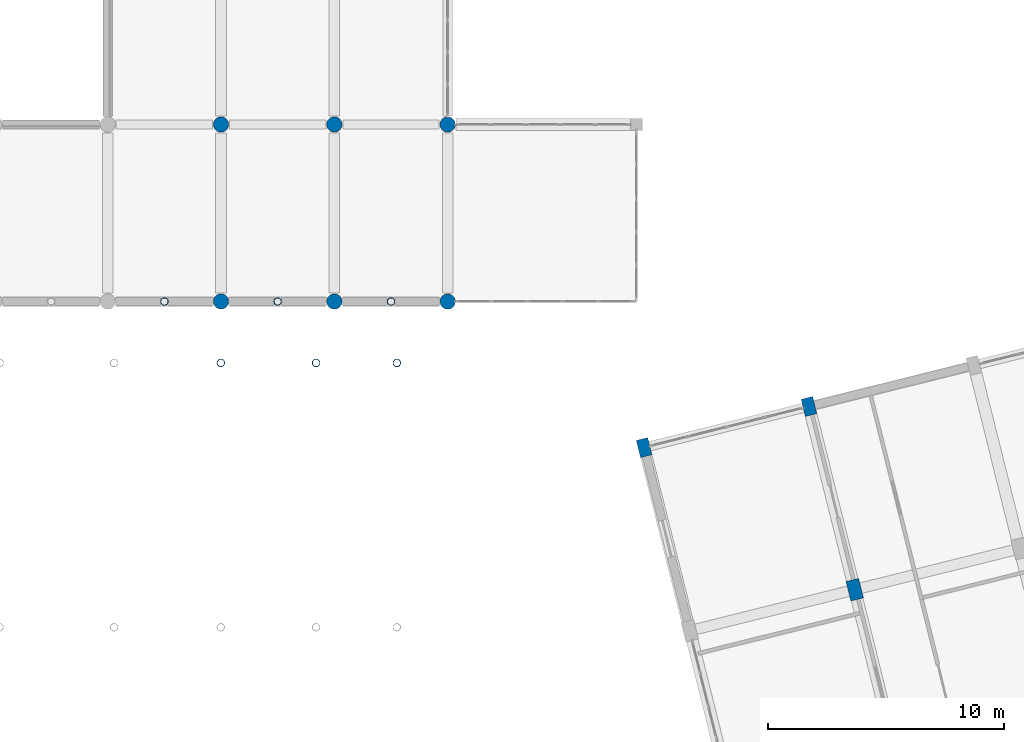
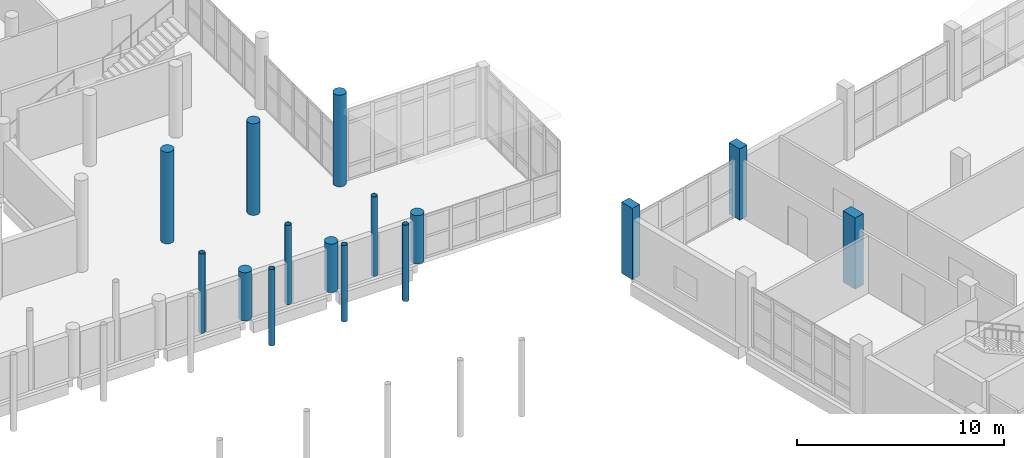
# One storey, part 10 of 164: 15 columns.
"""IFC4 building model written with IfcOpenShell, lengths in metres."""

from ifc_helpers import new_model, si_unit, direction, frame, origin, origin_2d, place, context, subcontext, project, spatial, rectangle, circle, hollow_circle, extrude, material, material_profile, profile_set, type_object, element, save


model = new_model("IFC4")

# Units and contexts
model_context = context("Model", 3, precision=1e-05, world=origin(), true_north=direction((0.0, 1.0)))
body_context = subcontext(model_context, "Body", "Model", "MODEL_VIEW")
ifc_project = project(units=[si_unit("LENGTHUNIT", "METRE"), si_unit("AREAUNIT", "SQUARE_METRE"), si_unit("VOLUMEUNIT", "CUBIC_METRE"), si_unit("PLANEANGLEUNIT", "RADIAN"), si_unit("MASSUNIT", "GRAM", prefix="KILO")], contexts=[model_context])

# Site, building, storey
site_placement = place(None, origin())
site = spatial("IfcSite", under=ifc_project, at=site_placement, CompositionType="ELEMENT")
building_placement = place(site_placement, origin())
building = spatial("IfcBuilding", under=site, at=building_placement, Name="Mawjan Specialist Oncology Clinic", CompositionType="ELEMENT")
storey_placement = place(building_placement, frame((0.0, 0.0, 5.0)))
storey = spatial("IfcBuildingStorey", under=building, at=storey_placement, Name="L01", CompositionType="ELEMENT", Elevation=5.0)

# Columns
ifc_material_1 = material(Name="Concrete C45/55", Category="concrete")
ifc_material_profile_1 = material_profile(ifc_material_1, rectangle(XDim=0.5, YDim=0.75, at=origin_2d()), Name="RC COL 500x750", Category="concrete")
ifc_profile_set_1 = profile_set([ifc_material_profile_1], Name="Concrete C45/55")
column_type_1 = type_object("IfcColumnType", Name="C-500x750", PredefinedType="COLUMN", material=ifc_profile_set_1)
for number, where, z_axis, x_axis, name in (
    (1, (116.3232421875, 39.61181640625, 0.0), (0.0, 0.0, 1.0), (0.970295726276, 0.2419218956, 0.0), "L01 Column R-RA-R6"),
    (2, (123.309326171875, 41.353759765625, 0.0), (0.0, 0.0, 1.0), (0.970295726276, 0.2419218956, 0.0), "L01 Column R-RB-R6"),
):
    element("IfcColumn", number, at=place(storey_placement, frame(where, z_axis=z_axis, x_axis=x_axis)), inside=storey, type_object=column_type_1, Name=name, PredefinedType="COLUMN", context=body_context, shape_type="SweptSolid", body=[
        extrude(rectangle(XDim=0.5, YDim=0.75, at=origin_2d()), origin(), (0.0, 0.0, 1.0), 4.199951171875),
    ])
ifc_material_2 = material(Name="Concrete C45/55", Category="concrete")
ifc_material_profile_2 = material_profile(ifc_material_2, rectangle(XDim=0.550048828125, YDim=0.85009765625, at=origin_2d()), Name="RC COL 550x850", Category="concrete")
ifc_profile_set_2 = profile_set([ifc_material_profile_2], Name="Concrete C45/55")
column_type_2 = type_object("IfcColumnType", Name="C-550x850", PredefinedType="COLUMN", material=ifc_profile_set_2)
column_1_placement = place(storey_placement, frame((125.24462890625, 33.59130859375, 0.0), z_axis=(0.0, 0.0, 1.0), x_axis=(0.970295726276, 0.2419218956, 0.0)))
element("IfcColumn", 3, at=column_1_placement, inside=storey, type_object=column_type_2, Name="L01 Column R-RB-R5", PredefinedType="COLUMN", context=body_context, shape_type="SweptSolid", body=[
    extrude(rectangle(XDim=0.550048828125, YDim=0.85009765625, at=origin_2d()), origin(), (0.0, 0.0, 1.0), 4.199951171875),
])
ifc_material_3 = material(Name="Concrete C45/55", Category="concrete")
ifc_material_profile_3 = material_profile(ifc_material_3, circle(Radius=0.324951171875, at=origin_2d()), Name="RC COL D650", Category="concrete")
ifc_profile_set_3 = profile_set([ifc_material_profile_3], Name="Concrete C45/55")
column_type_3 = type_object("IfcColumnType", Name="C-D650", PredefinedType="COLUMN", material=ifc_profile_set_3)
column_2_placement = place(storey_placement, frame((98.39990234375, 45.800048828125, 0.0), z_axis=(0.0, 0.0, 1.0), x_axis=(1.0, 0.0, 0.0)))
element("IfcColumn", 4, at=column_2_placement, inside=storey, type_object=column_type_3, Name="L01 Column G-17-G", PredefinedType="COLUMN", context=body_context, shape_type="SweptSolid", body=[
    extrude(circle(Radius=0.324951171875, at=origin_2d()), origin(), (0.0, 0.0, 1.0), 2.85009765625),
])
column_3_placement = place(storey_placement, frame((98.39990234375, 53.300048828125, 0.0), z_axis=(0.0, 0.0, 1.0), x_axis=(1.0, 0.0, 0.0)))
element("IfcColumn", 5, at=column_3_placement, inside=storey, type_object=column_type_3, Name="L01 Column G-17-H", PredefinedType="COLUMN", context=body_context, shape_type="SweptSolid", body=[
    extrude(circle(Radius=0.324951171875, at=origin_2d()), origin(), (0.0, 0.0, 1.0), 5.39990234375),
])
column_4_placement = place(storey_placement, frame((103.199951171875, 45.800048828125, 0.0), z_axis=(0.0, 0.0, 1.0), x_axis=(1.0, 0.0, 0.0)))
element("IfcColumn", 6, at=column_4_placement, inside=storey, type_object=column_type_3, Name="L01 Column G-18-G", PredefinedType="COLUMN", context=body_context, shape_type="SweptSolid", body=[
    extrude(circle(Radius=0.324951171875, at=origin_2d()), origin(), (0.0, 0.0, 1.0), 2.85009765625),
])
column_5_placement = place(storey_placement, frame((103.199951171875, 53.300048828125, 0.0), z_axis=(0.0, 0.0, 1.0), x_axis=(1.0, 0.0, 0.0)))
element("IfcColumn", 7, at=column_5_placement, inside=storey, type_object=column_type_3, Name="L01 Column G-18-H", PredefinedType="COLUMN", context=body_context, shape_type="SweptSolid", body=[
    extrude(circle(Radius=0.324951171875, at=origin_2d()), origin(), (0.0, 0.0, 1.0), 5.39990234375),
])
column_6_placement = place(storey_placement, frame((108.0, 45.800048828125, 0.0), z_axis=(0.0, 0.0, 1.0), x_axis=(1.0, 0.0, 0.0)))
element("IfcColumn", 8, at=column_6_placement, inside=storey, type_object=column_type_3, Name="L01 Column G-19-G", PredefinedType="COLUMN", context=body_context, shape_type="SweptSolid", body=[
    extrude(circle(Radius=0.324951171875, at=origin_2d()), origin(), (0.0, 0.0, 1.0), 2.85009765625),
])
column_7_placement = place(storey_placement, frame((108.0, 53.300048828125, 0.0), z_axis=(0.0, 0.0, 1.0), x_axis=(1.0, 0.0, 0.0)))
element("IfcColumn", 9, at=column_7_placement, inside=storey, type_object=column_type_3, Name="L01 Column G-19-H", PredefinedType="COLUMN", context=body_context, shape_type="SweptSolid", body=[
    extrude(circle(Radius=0.324951171875, at=origin_2d()), origin(), (0.0, 0.0, 1.0), 5.39990234375),
])
ifc_material_4 = material(Name="Structural steel S355", Category="steel")
ifc_material_profile_4 = material_profile(ifc_material_4, hollow_circle(Radius=0.161865234375, WallThickness=0.011962890625, at=origin_2d()), Name="CHS 323.9x12", Category="steel")
ifc_profile_set_4 = profile_set([ifc_material_profile_4], Name="Structural steel S355")
column_type_4 = type_object("IfcColumnType", Name="SC-CHS324", PredefinedType="COLUMN", material=ifc_profile_set_4)
for number, where, z_axis, x_axis, name in (
    (10, (96.0, 45.800048828125, 0.0), (0.0, 0.0, 1.0), (1.0, 0.0, 0.0), "Hall South Ridge L01 Column 08"),
    (11, (100.800048828125, 45.800048828125, 0.0), (0.0, 0.0, 1.0), (1.0, 0.0, 0.0), "Hall South Ridge L01 Column 09"),
    (12, (105.60009765625, 45.800048828125, 0.0), (0.0, 0.0, 1.0), (1.0, 0.0, 0.0), "Hall South Ridge L01 Column 10"),
):
    element("IfcColumn", number, at=place(storey_placement, frame(where, z_axis=z_axis, x_axis=x_axis)), inside=storey, type_object=column_type_4, Name=name, PredefinedType="COLUMN", context=body_context, shape_type="SweptSolid", body=[
        extrude(hollow_circle(Radius=0.161865234375, WallThickness=0.011962890625, at=origin_2d()), origin(), (0.0, 0.0, 1.0), 4.679931640625),
    ])
for number, where, z_axis, x_axis, name in (
    (13, (98.388671875, 43.199951171875, 0.0), (0.0, 0.0, 1.0), (1.0, 0.0, 0.0), "Courtyard North Colonnade Column 09 L01"),
    (14, (102.426513671875, 43.199951171875, 0.0), (0.0, 0.0, 1.0), (1.0, 0.0, 0.0), "Courtyard North Colonnade Column 10 L01"),
    (15, (105.847412109375, 43.199951171875, 0.0), (0.0, 0.0, 1.0), (1.0, 0.0, 0.0), "Courtyard North Colonnade Column 11 L01"),
):
    element("IfcColumn", number, at=place(storey_placement, frame(where, z_axis=z_axis, x_axis=x_axis)), inside=storey, type_object=column_type_4, Name=name, PredefinedType="COLUMN", context=body_context, shape_type="SweptSolid", body=[
        extrude(hollow_circle(Radius=0.161865234375, WallThickness=0.011962890625, at=origin_2d()), origin(), (0.0, 0.0, 1.0), 4.5),
    ])

save(model, "model.ifc")
